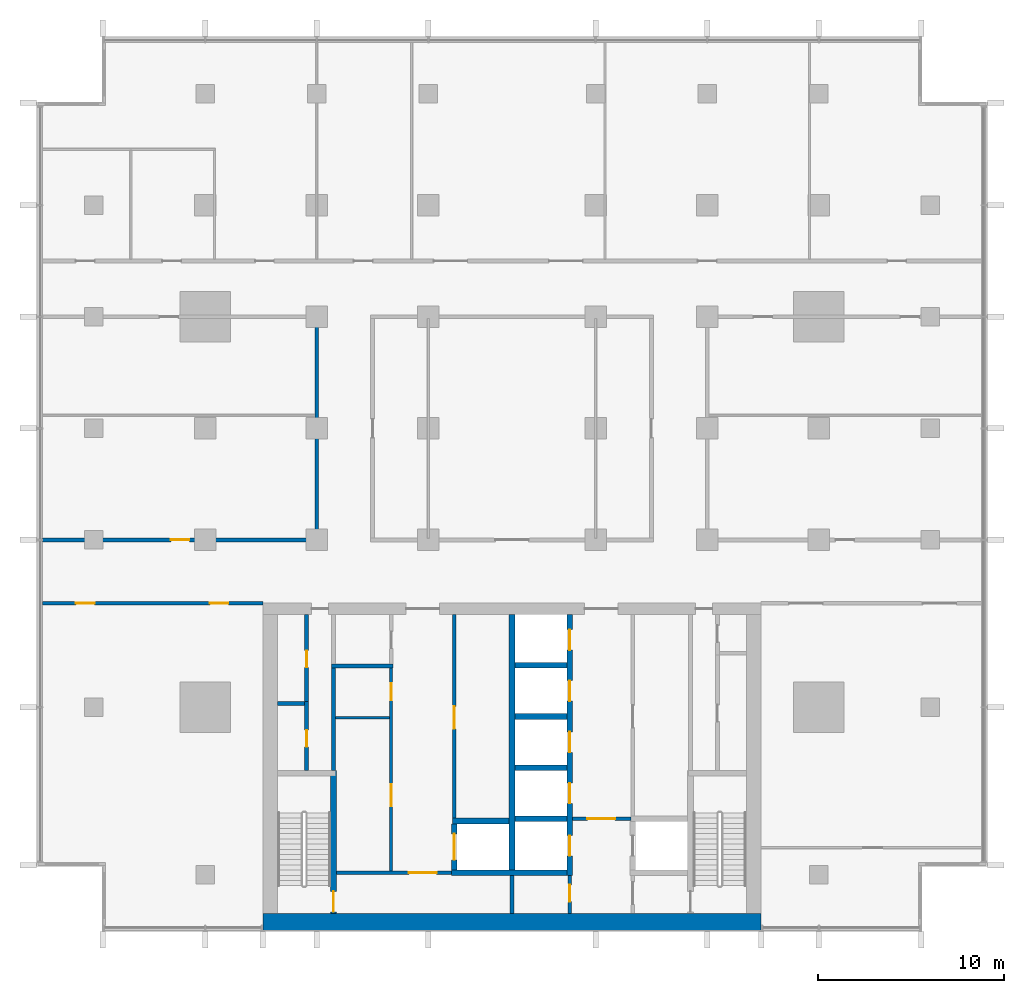
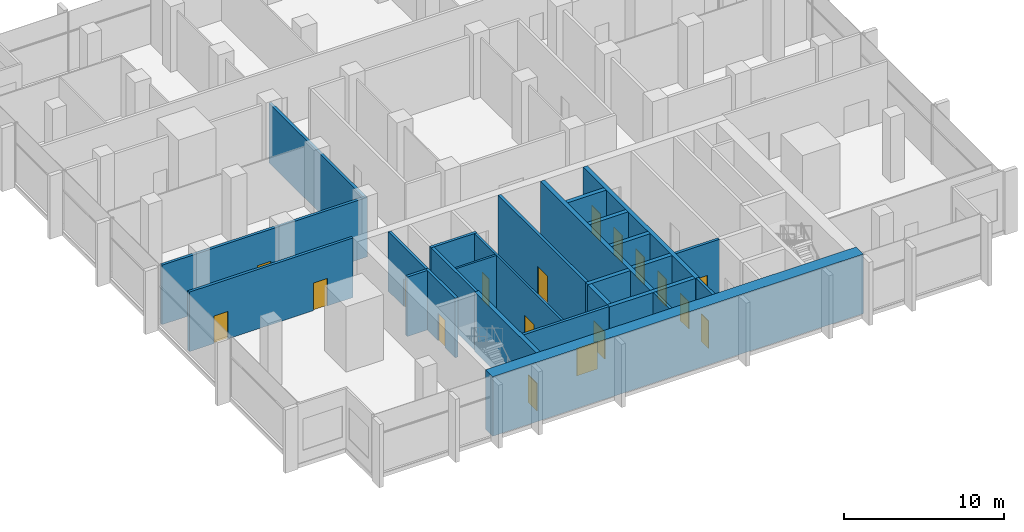
# One storey, part 7 of 15: 26 walls, 18 doors, 18 openings.
"""IFC4 building model written with IfcOpenShell, lengths in metres."""

from ifc_helpers import new_model, si_unit, direction, frame, frame_2d, origin, place, context, subcontext, project, spatial, rectangle, extrude, material, layer, layer_set, type_object, element, fill, save


model = new_model("IFC4")

# Units and contexts
model_context = context("Model", 3, precision=1e-05, world=origin(), true_north=direction((0.0, 1.0)))
body_context = subcontext(model_context, "Body", "Model", "MODEL_VIEW")
ifc_project = project(units=[si_unit("LENGTHUNIT", "METRE"), si_unit("AREAUNIT", "SQUARE_METRE"), si_unit("VOLUMEUNIT", "CUBIC_METRE"), si_unit("PLANEANGLEUNIT", "RADIAN"), si_unit("MASSUNIT", "GRAM", prefix="KILO")], contexts=[model_context])

# Site, building, storey
site_placement = place(None, origin())
site = spatial("IfcSite", under=ifc_project, at=site_placement, CompositionType="ELEMENT")
building_placement = place(site_placement, origin())
building = spatial("IfcBuilding", under=site, at=building_placement, Name="Finial Court Residences", CompositionType="ELEMENT")
storey_placement = place(building_placement, frame((0.0, 0.0, 138.89990234375)))
storey = spatial("IfcBuildingStorey", under=building, at=storey_placement, Name="L34", CompositionType="ELEMENT", Elevation=138.89990234375)

# Wall
ifc_material_1 = material(Name="Fire-rated gypsum board partition")
ifc_layer_1 = layer(ifc_material_1, 0.14990234375)
ifc_layer_set_1 = layer_set([ifc_layer_1], Name="Core room partition 150 EI 60")
wall_type_1 = type_object("IfcWallType", Name="Core room partition 150 EI 60", PredefinedType="PARTITIONING", material=ifc_layer_set_1)
wall_1_placement = place(storey_placement, frame((-9.5, -14.06005859375, 0.0), z_axis=(0.0, 0.0, 1.0), x_axis=(1.0, 0.0, 0.0)))
element("IfcWall", 1, at=wall_1_placement, inside=storey, type_object=wall_type_1, Name="Core partition L34-11", PredefinedType="PARTITIONING", context=body_context, shape_type="SweptSolid", body=[
    extrude(rectangle(XDim=2.925048828125, YDim=0.14990234375, at=frame_2d((1.46240234375, 0.0))), origin(), (0.0, 0.0, 1.0), 4.550048828125),
])

# Wall, openings, doors
wall_2_placement = place(storey_placement, frame((-6.5, -22.300048828125, 0.0), z_axis=(0.0, 0.0, 1.0), x_axis=(0.0, 1.0, 0.0)))
wall_2 = element("IfcWall", 2, at=wall_2_placement, inside=storey, type_object=wall_type_1, Name="Core partition L34-22", PredefinedType="PARTITIONING", context=body_context, shape_type="SweptSolid", body=[
    extrude(rectangle(XDim=10.920166015625, YDim=0.14990234375, at=frame_2d((5.4599609375, 0.0))), origin(), (0.0, 0.0, 1.0), 4.550048828125),
])
opening_1_placement = place(wall_2_placement, frame((3.469970703125, 0.0, 0.0)))
opening_1 = element("IfcOpeningElement", 3, at=opening_1_placement, cuts=wall_2, Name="Opening L34-C16", PredefinedType="OPENING", context=body_context, shape_type="SweptSolid", body=[
    extrude(rectangle(XDim=1.199951171875, YDim=2.10009765625, at=frame_2d((0.60009765625, 1.050048828125))), frame((0.0, 0.0849609375, 0.0), z_axis=(0.0, -1.0, 0.0), x_axis=(1.0, 0.0, 0.0)), (0.0, 0.0, 1.0), 0.169921875),
])
opening_2_placement = place(wall_2_placement, frame((9.179931640625, 0.0, 0.0)))
opening_2 = element("IfcOpeningElement", 4, at=opening_2_placement, cuts=wall_2, Name="Opening L34-C17", PredefinedType="OPENING", context=body_context, shape_type="SweptSolid", body=[
    extrude(rectangle(XDim=0.89990234375, YDim=2.10009765625, at=frame_2d((0.449951171875, 1.050048828125))), frame((0.0, 0.0849609375, 0.0), z_axis=(0.0, -1.0, 0.0), x_axis=(1.0, 0.0, 0.0)), (0.0, 0.0, 1.0), 0.169921875),
])
ifc_material_2 = material(Name="Steel fire door", Category="steel")
door_type_1 = type_object("IfcDoorType", Name="Core room door 1200 x 2100 EI 60", OperationType="NOTDEFINED", PredefinedType="DOOR", material=ifc_material_2)
door_1_placement = place(opening_1_placement, origin())
door_1 = element("IfcDoor", 5, at=door_1_placement, inside=storey, type_object=door_type_1, Name="Core room door L34-C16", OperationType="SINGLE_SWING_LEFT", OverallHeight=2.10009765625, OverallWidth=1.199951171875, PredefinedType="DOOR", context=body_context, shape_type="SweptSolid", body=[
    extrude(rectangle(XDim=1.199951171875, YDim=2.10009765625, at=frame_2d((0.60009765625, 1.050048828125))), frame((0.0, 0.02490234375, 0.0), z_axis=(0.0, -1.0, 0.0), x_axis=(1.0, 0.0, 0.0)), (0.0, 0.0, 1.0), 0.050048828125),
])
fill(opening_1, door_1)
door_type_2 = type_object("IfcDoorType", Name="Core room door 900 x 2100 EI 60", OperationType="NOTDEFINED", PredefinedType="DOOR", material=ifc_material_2)
door_2_placement = place(opening_2_placement, origin())
door_2 = element("IfcDoor", 6, at=door_2_placement, inside=storey, type_object=door_type_2, Name="Core room door L34-C17", OperationType="SINGLE_SWING_LEFT", OverallHeight=2.10009765625, OverallWidth=0.89990234375, PredefinedType="DOOR", context=body_context, shape_type="SweptSolid", body=[
    extrude(rectangle(XDim=0.89990234375, YDim=2.10009765625, at=frame_2d((0.449951171875, 1.050048828125))), frame((0.0, 0.02490234375, 0.0), z_axis=(0.0, -1.0, 0.0), x_axis=(1.0, 0.0, 0.0)), (0.0, 0.0, 1.0), 0.050048828125),
])
fill(opening_2, door_2)

# Wall
ifc_material_3 = material(Name="Concrete C70/85", Category="concrete")
ifc_layer_2 = layer(ifc_material_3, 0.89990234375)
ifc_layer_set_2 = layer_set([ifc_layer_2], Name="Core south facade wall 900 Concrete C70/85")
wall_type_2 = type_object("IfcWallType", Name="Core south facade wall 900 Concrete C70/85", PredefinedType="SHEAR", material=ifc_layer_set_2)
wall_3_placement = place(storey_placement, frame((-13.39990234375, -25.050048828125, 0.0), z_axis=(0.0, 0.0, 1.0), x_axis=(1.0, 0.0, 0.0)))
element("IfcWall", 7, at=wall_3_placement, inside=storey, type_object=wall_type_2, Name="Core outer wall L34-01", PredefinedType="SHEAR", context=body_context, shape_type="SweptSolid", body=[
    extrude(rectangle(XDim=26.7998046875, YDim=0.89990234375, at=frame_2d((13.39990234375, 0.0))), origin(), (0.0, 0.0, 1.0), 4.550048828125),
])

# Wall, openings, doors
ifc_material_4 = material(Name="Gypsum board")
ifc_layer_3 = layer(ifc_material_4, 0.02490234375)
ifc_material_5 = material(Name="Acoustic mineral wool in double frame")
ifc_layer_4 = layer(ifc_material_5, 0.14990234375)
ifc_layer_5 = layer(ifc_material_4, 0.02490234375)
ifc_layer_set_3 = layer_set([ifc_layer_3, ifc_layer_4, ifc_layer_5], Name="Corridor wall 200, 1 hour")
wall_type_3 = type_object("IfcWallType", Name="Corridor wall 200, 1 hour", PredefinedType="PARTITIONING", material=ifc_layer_set_3)
wall_4_placement = place(storey_placement, frame((-25.237548828125, -7.89990234375, 0.0), z_axis=(0.0, 0.0, 1.0), x_axis=(1.0, 0.0, 0.0)))
wall_4 = element("IfcWall", 8, at=wall_4_placement, inside=storey, type_object=wall_type_3, Name="Partition L34-001", PredefinedType="PARTITIONING", context=body_context, shape_type="SweptSolid", body=[
    extrude(rectangle(XDim=11.837646484375, YDim=0.199951171875, at=frame_2d((5.9189453125, 0.0))), origin(), (0.0, 0.0, 1.0), 4.550048828125),
])
opening_3_placement = place(wall_4_placement, frame((1.7880859375, 0.0, 0.0)))
opening_3 = element("IfcOpeningElement", 9, at=opening_3_placement, cuts=wall_4, Name="Opening L34-D002", PredefinedType="OPENING", context=body_context, shape_type="SweptSolid", body=[
    extrude(rectangle(XDim=1.0, YDim=2.10009765625, at=frame_2d((0.5, 1.050048828125))), frame((0.0, 0.10986328125, 0.0), z_axis=(0.0, -1.0, 0.0), x_axis=(1.0, 0.0, 0.0)), (0.0, 0.0, 1.0), 0.219970703125),
])
opening_4_placement = place(wall_4_placement, frame((8.988037109375, 0.0, 0.0)))
opening_4 = element("IfcOpeningElement", 10, at=opening_4_placement, cuts=wall_4, Name="Opening L34-D003", PredefinedType="OPENING", context=body_context, shape_type="SweptSolid", body=[
    extrude(rectangle(XDim=1.0, YDim=2.10009765625, at=frame_2d((0.5, 1.050048828125))), frame((0.0, 0.10986328125, 0.0), z_axis=(0.0, -1.0, 0.0), x_axis=(1.0, 0.0, 0.0)), (0.0, 0.0, 1.0), 0.219970703125),
])
ifc_material_6 = material(Name="Timber door leaf in hollow metal frame", Category="wood")
door_type_3 = type_object("IfcDoorType", Name="Fire door set 1000 x 2100, 30 minutes", OperationType="SINGLE_SWING_LEFT", PredefinedType="DOOR", material=ifc_material_6)
door_3_placement = place(opening_3_placement, origin())
door_3 = element("IfcDoor", 11, at=door_3_placement, inside=storey, type_object=door_type_3, Name="Door L34-D002", OperationType="SINGLE_SWING_LEFT", OverallHeight=2.10009765625, OverallWidth=1.0, PredefinedType="DOOR", context=body_context, shape_type="SweptSolid", body=[
    extrude(rectangle(XDim=1.0, YDim=2.10009765625, at=frame_2d((0.5, 1.050048828125))), frame((0.0, 0.02490234375, 0.0), z_axis=(0.0, -1.0, 0.0), x_axis=(1.0, 0.0, 0.0)), (0.0, 0.0, 1.0), 0.050048828125),
])
fill(opening_3, door_3)
door_4_placement = place(opening_4_placement, origin())
door_4 = element("IfcDoor", 12, at=door_4_placement, inside=storey, type_object=door_type_3, Name="Door L34-D003", OperationType="SINGLE_SWING_RIGHT", OverallHeight=2.10009765625, OverallWidth=1.0, PredefinedType="DOOR", context=body_context, shape_type="SweptSolid", body=[
    extrude(rectangle(XDim=1.0, YDim=2.10009765625, at=frame_2d((0.5, 1.050048828125))), frame((0.0, 0.02490234375, 0.0), z_axis=(0.0, -1.0, 0.0), x_axis=(1.0, 0.0, 0.0)), (0.0, 0.0, 1.0), 0.050048828125),
])
fill(opening_4, door_4)

# Wall, opening, door
wall_5_placement = place(storey_placement, frame((-25.237548828125, -4.5, 0.0), z_axis=(0.0, 0.0, 1.0), x_axis=(1.0, 0.0, 0.0)))
wall_5 = element("IfcWall", 13, at=wall_5_placement, inside=storey, type_object=wall_type_3, Name="Partition L34-003", PredefinedType="PARTITIONING", context=body_context, shape_type="SweptSolid", body=[
    extrude(rectangle(XDim=14.837646484375, YDim=0.199951171875, at=frame_2d((7.4189453125, 0.0))), origin(), (0.0, 0.0, 1.0), 4.550048828125),
])
opening_5_placement = place(wall_5_placement, frame((6.886962890625, 0.0, 0.0)))
opening_5 = element("IfcOpeningElement", 14, at=opening_5_placement, cuts=wall_5, Name="Opening L34-D006", PredefinedType="OPENING", context=body_context, shape_type="SweptSolid", body=[
    extrude(rectangle(XDim=1.0, YDim=2.10009765625, at=frame_2d((0.5, 1.050048828125))), frame((0.0, 0.10986328125, 0.0), z_axis=(0.0, -1.0, 0.0), x_axis=(1.0, 0.0, 0.0)), (0.0, 0.0, 1.0), 0.219970703125),
])
door_5_placement = place(opening_5_placement, origin())
door_5 = element("IfcDoor", 15, at=door_5_placement, inside=storey, type_object=door_type_3, Name="Door L34-D006", OperationType="SINGLE_SWING_LEFT", OverallHeight=2.10009765625, OverallWidth=1.0, PredefinedType="DOOR", context=body_context, shape_type="SweptSolid", body=[
    extrude(rectangle(XDim=1.0, YDim=2.10009765625, at=frame_2d((0.5, 1.050048828125))), frame((0.0, 0.02490234375, 0.0), z_axis=(0.0, -1.0, 0.0), x_axis=(1.0, 0.0, 0.0)), (0.0, 0.0, 1.0), 0.050048828125),
])
fill(opening_5, door_5)

# Wall
wall_6_placement = place(storey_placement, frame((-10.5, -4.39990234375, 0.0), z_axis=(0.0, 0.0, 1.0), x_axis=(0.0, 1.0, 0.0)))
element("IfcWall", 16, at=wall_6_placement, inside=storey, type_object=wall_type_3, Name="Partition L34-015", PredefinedType="PARTITIONING", context=body_context, shape_type="SweptSolid", body=[
    extrude(rectangle(XDim=11.7998046875, YDim=0.199951171875, at=frame_2d((5.89990234375, 0.0))), origin(), (0.0, 0.0, 1.0), 4.550048828125),
])

# Wall, opening, door
ifc_layer_6 = layer(ifc_material_1, 0.199951171875)
ifc_layer_set_4 = layer_set([ifc_layer_6], Name="Firefighting lobby wall 200 EI 120")
wall_type_4 = type_object("IfcWallType", Name="Firefighting lobby wall 200 EI 120", PredefinedType="PARTITIONING", material=ifc_layer_set_4)
wall_7_placement = place(storey_placement, frame((6.39990234375, -19.5, 0.0), z_axis=(0.0, 0.0, 1.0), x_axis=(-1.0, 0.0, 0.0)))
wall_7 = element("IfcWall", 17, at=wall_7_placement, inside=storey, type_object=wall_type_4, Name="Core partition L34-06", PredefinedType="PARTITIONING", context=body_context, shape_type="SweptSolid", body=[
    extrude(rectangle(XDim=3.14990234375, YDim=0.199951171875, at=frame_2d((1.574951171875, 0.0))), origin(), (0.0, 0.0, 1.0), 4.550048828125),
])
opening_6_placement = place(wall_7_placement, frame((0.85009765625, 0.0, 0.0)))
opening_6 = element("IfcOpeningElement", 18, at=opening_6_placement, cuts=wall_7, Name="Opening L34-C02", PredefinedType="OPENING", context=body_context, shape_type="SweptSolid", body=[
    extrude(rectangle(XDim=1.5, YDim=2.10009765625, at=frame_2d((0.75, 1.050048828125))), frame((0.0, 0.10986328125, 0.0), z_axis=(0.0, -1.0, 0.0), x_axis=(1.0, 0.0, 0.0)), (0.0, 0.0, 1.0), 0.219970703125),
])
door_type_4 = type_object("IfcDoorType", Name="Firefighting lobby door 1500 x 2100 EI 90", OperationType="DOUBLE_DOOR_SINGLE_SWING", PredefinedType="DOOR", material=ifc_material_2)
door_6_placement = place(opening_6_placement, origin())
door_6 = element("IfcDoor", 19, at=door_6_placement, inside=storey, type_object=door_type_4, Name="Firefighting lobby door L34-C02", OperationType="DOUBLE_DOOR_SINGLE_SWING", OverallHeight=2.10009765625, OverallWidth=1.5, PredefinedType="DOOR", context=body_context, shape_type="SweptSolid", body=[
    extrude(rectangle(XDim=1.5, YDim=2.10009765625, at=frame_2d((0.75, 1.050048828125))), frame((0.0, 0.02490234375, 0.0), z_axis=(0.0, -1.0, 0.0), x_axis=(1.0, 0.0, 0.0)), (0.0, 0.0, 1.0), 0.050048828125),
])
fill(opening_6, door_6)

wall_8_placement = place(storey_placement, frame((3.10009765625, -24.60009765625, 0.0), z_axis=(0.0, 0.0, 1.0), x_axis=(0.0, 1.0, 0.0)))
wall_8 = element("IfcWall", 20, at=wall_8_placement, inside=storey, type_object=wall_type_4, Name="Core partition L34-28", PredefinedType="PARTITIONING", context=body_context, shape_type="SweptSolid", body=[
    extrude(rectangle(XDim=2.050048828125, YDim=0.199951171875, at=frame_2d((1.02490234375, 0.0))), origin(), (0.0, 0.0, 1.0), 4.550048828125),
])
opening_7_placement = place(wall_8_placement, frame((0.64990234375, 0.0, 0.0)))
opening_7 = element("IfcOpeningElement", 21, at=opening_7_placement, cuts=wall_8, Name="Opening L34-C06", PredefinedType="OPENING", context=body_context, shape_type="SweptSolid", body=[
    extrude(rectangle(XDim=0.89990234375, YDim=2.10009765625, at=frame_2d((0.449951171875, 1.050048828125))), frame((0.0, 0.10986328125, 0.0), z_axis=(0.0, -1.0, 0.0), x_axis=(1.0, 0.0, 0.0)), (0.0, 0.0, 1.0), 0.219970703125),
])
door_type_5 = type_object("IfcDoorType", Name="Riser room door 900 x 2100 EI 90", OperationType="NOTDEFINED", PredefinedType="DOOR", material=ifc_material_2)
door_7_placement = place(opening_7_placement, origin())
door_7 = element("IfcDoor", 22, at=door_7_placement, inside=storey, type_object=door_type_5, Name="Riser room door L34-C06", OperationType="SINGLE_SWING_LEFT", OverallHeight=2.10009765625, OverallWidth=0.89990234375, PredefinedType="DOOR", context=body_context, shape_type="SweptSolid", body=[
    extrude(rectangle(XDim=0.89990234375, YDim=2.10009765625, at=frame_2d((0.449951171875, 1.050048828125))), frame((0.0, 0.02490234375, 0.0), z_axis=(0.0, -1.0, 0.0), x_axis=(1.0, 0.0, 0.0)), (0.0, 0.0, 1.0), 0.050048828125),
])
fill(opening_7, door_7)

# Walls
ifc_layer_7 = layer(ifc_material_3, 0.300048828125)
ifc_layer_set_5 = layer_set([ifc_layer_7], Name="Lift shaft and stair wall 300 Concrete C70/85")
wall_type_5 = type_object("IfcWallType", Name="Lift shaft and stair wall 300 Concrete C70/85", PredefinedType="SHEAR", material=ifc_layer_set_5)
wall_9_placement = place(storey_placement, frame((-3.25, -22.39990234375, 0.0), z_axis=(0.0, 0.0, 1.0), x_axis=(1.0, 0.0, 0.0)))
element("IfcWall", 23, at=wall_9_placement, inside=storey, type_object=wall_type_5, Name="Core wall L34-02", PredefinedType="SHEAR", context=body_context, shape_type="SweptSolid", body=[
    extrude(rectangle(XDim=6.199951171875, YDim=0.300048828125, at=frame_2d((3.10009765625, 0.0))), origin(), (0.0, 0.0, 1.0), 4.550048828125),
])
wall_10_placement = place(storey_placement, frame((-3.199951171875, -19.6201171875, 0.0), z_axis=(0.0, 0.0, 1.0), x_axis=(1.0, 0.0, 0.0)))
element("IfcWall", 24, at=wall_10_placement, inside=storey, type_object=wall_type_5, Name="Core wall L34-04", PredefinedType="SHEAR", context=body_context, shape_type="SweptSolid", body=[
    extrude(rectangle(XDim=3.050048828125, YDim=0.300048828125, at=frame_2d((1.52490234375, 0.0))), origin(), (0.0, 0.0, 1.0), 4.550048828125),
])
for number, where, z_axis, x_axis, name in (
    (25, (0.14990234375, -19.5, 0.0), (0.0, 0.0, 1.0), (1.0, 0.0, 0.0), "Core wall L34-05"),
    (26, (0.14990234375, -16.75, 0.0), (0.0, 0.0, 1.0), (1.0, 0.0, 0.0), "Core wall L34-10"),
    (27, (0.14990234375, -14.0, 0.0), (0.0, 0.0, 1.0), (1.0, 0.0, 0.0), "Core wall L34-12"),
    (28, (0.14990234375, -11.25, 0.0), (0.0, 0.0, 1.0), (1.0, 0.0, 0.0), "Core wall L34-15"),
):
    element("IfcWall", number, at=place(storey_placement, frame(where, z_axis=z_axis, x_axis=x_axis)), inside=storey, type_object=wall_type_5, Name=name, PredefinedType="SHEAR", context=body_context, shape_type="SweptSolid", body=[
        extrude(rectangle(XDim=2.800048828125, YDim=0.300048828125, at=frame_2d((1.39990234375, 0.0))), origin(), (0.0, 0.0, 1.0), 4.550048828125),
    ])

# Wall, opening, door
wall_11_placement = place(storey_placement, frame((-9.60009765625, -24.60009765625, 0.0), z_axis=(0.0, 0.0, 1.0), x_axis=(0.0, 1.0, 0.0)))
wall_11 = element("IfcWall", 29, at=wall_11_placement, inside=storey, type_object=wall_type_5, Name="Core wall L34-19", PredefinedType="SHEAR", context=body_context, shape_type="SweptSolid", body=[
    extrude(rectangle(XDim=7.7001953125, YDim=0.300048828125, at=frame_2d((3.85009765625, 0.0))), origin(), (0.0, 0.0, 1.0), 4.550048828125),
])
opening_8_placement = place(wall_11_placement, frame((0.10009765625, 0.0, 0.0)))
opening_8 = element("IfcOpeningElement", 30, at=opening_8_placement, cuts=wall_11, Name="Opening L34-C18", PredefinedType="OPENING", context=body_context, shape_type="SweptSolid", body=[
    extrude(rectangle(XDim=1.10009765625, YDim=2.10009765625, at=frame_2d((0.550048828125, 1.050048828125))), frame((0.0, 0.159912109375, 0.0), z_axis=(0.0, -1.0, 0.0), x_axis=(1.0, 0.0, 0.0)), (0.0, 0.0, 1.0), 0.320068359375),
])
door_type_6 = type_object("IfcDoorType", Name="Stair door 1100 x 2100 EI 90", OperationType="NOTDEFINED", PredefinedType="DOOR", material=ifc_material_2)
door_8_placement = place(opening_8_placement, origin())
door_8 = element("IfcDoor", 31, at=door_8_placement, inside=storey, type_object=door_type_6, Name="Stair door L34-C18", OperationType="SINGLE_SWING_LEFT", OverallHeight=2.10009765625, OverallWidth=1.10009765625, PredefinedType="DOOR", context=body_context, shape_type="SweptSolid", body=[
    extrude(rectangle(XDim=1.10009765625, YDim=2.10009765625, at=frame_2d((0.550048828125, 1.050048828125))), frame((0.0, 0.02490234375, 0.0), z_axis=(0.0, -1.0, 0.0), x_axis=(1.0, 0.0, 0.0)), (0.0, 0.0, 1.0), 0.050048828125),
])
fill(opening_8, door_8)

wall_12_placement = place(storey_placement, frame((-3.10009765625, -22.25, 0.0), z_axis=(0.0, 0.0, 1.0), x_axis=(0.0, 1.0, 0.0)))
wall_12 = element("IfcWall", 32, at=wall_12_placement, inside=storey, type_object=wall_type_5, Name="Core wall L34-24", PredefinedType="SHEAR", context=body_context, shape_type="SweptSolid", body=[
    extrude(rectangle(XDim=2.47998046875, YDim=0.300048828125, at=frame_2d((1.239990234375, 0.0))), origin(), (0.0, 0.0, 1.0), 4.550048828125),
])
opening_9_placement = place(wall_12_placement, frame((0.5400390625, 0.0, 0.0)))
opening_9 = element("IfcOpeningElement", 33, at=opening_9_placement, cuts=wall_12, Name="Opening L34-LD07", PredefinedType="OPENING", context=body_context, shape_type="SweptSolid", body=[
    extrude(rectangle(XDim=1.39990234375, YDim=2.10009765625, at=frame_2d((0.699951171875, 1.050048828125))), frame((0.0, 0.159912109375, 0.0), z_axis=(0.0, -1.0, 0.0), x_axis=(1.0, 0.0, 0.0)), (0.0, 0.0, 1.0), 0.320068359375),
])
ifc_material_7 = material(Name="Stainless steel lift door", Category="steel")
door_type_7 = type_object("IfcDoorType", Name="Lift landing door 1400 x 2100 EI 90", OperationType="DOUBLE_DOOR_SLIDING", PredefinedType="DOOR", material=ifc_material_7)
door_9_placement = place(opening_9_placement, origin())
door_9 = element("IfcDoor", 34, at=door_9_placement, inside=storey, type_object=door_type_7, Name="Lift landing door SV1 L34", OperationType="DOUBLE_DOOR_SLIDING", OverallHeight=2.10009765625, OverallWidth=1.39990234375, PredefinedType="DOOR", context=body_context, shape_type="SweptSolid", body=[
    extrude(rectangle(XDim=1.39990234375, YDim=2.10009765625, at=frame_2d((0.699951171875, 1.050048828125))), frame((0.0, 0.02490234375, 0.0), z_axis=(0.0, -1.0, 0.0), x_axis=(1.0, 0.0, 0.0)), (0.0, 0.0, 1.0), 0.050048828125),
])
fill(opening_9, door_9)

# Wall
wall_13_placement = place(storey_placement, frame((0.0, -22.25, 0.0), z_axis=(0.0, 0.0, 1.0), x_axis=(0.0, 1.0, 0.0)))
element("IfcWall", 35, at=wall_13_placement, inside=storey, type_object=wall_type_5, Name="Core wall L34-27", PredefinedType="SHEAR", context=body_context, shape_type="SweptSolid", body=[
    extrude(rectangle(XDim=13.75, YDim=0.300048828125, at=frame_2d((6.875, 0.0))), origin(), (0.0, 0.0, 1.0), 4.550048828125),
])

# Wall, openings, doors
wall_14_placement = place(storey_placement, frame((3.10009765625, -22.550048828125, 0.0), z_axis=(0.0, 0.0, 1.0), x_axis=(0.0, 1.0, 0.0)))
wall_14 = element("IfcWall", 36, at=wall_14_placement, inside=storey, type_object=wall_type_5, Name="Core wall L34-29", PredefinedType="SHEAR", context=body_context, shape_type="SweptSolid", body=[
    extrude(rectangle(XDim=14.050048828125, YDim=0.300048828125, at=frame_2d((7.02490234375, 0.0))), origin(), (0.0, 0.0, 1.0), 4.550048828125),
])
opening_10_placement = place(wall_14_placement, frame((1.050048828125, 0.0, 0.0)))
opening_10 = element("IfcOpeningElement", 37, at=opening_10_placement, cuts=wall_14, Name="Opening L34-LD01", PredefinedType="OPENING", context=body_context, shape_type="SweptSolid", body=[
    extrude(rectangle(XDim=1.10009765625, YDim=2.10009765625, at=frame_2d((0.550048828125, 1.050048828125))), frame((0.0, 0.159912109375, 0.0), z_axis=(0.0, -1.0, 0.0), x_axis=(1.0, 0.0, 0.0)), (0.0, 0.0, 1.0), 0.320068359375),
])
opening_11_placement = place(wall_14_placement, frame((3.875, 0.0, 0.0)))
opening_11 = element("IfcOpeningElement", 38, at=opening_11_placement, cuts=wall_14, Name="Opening L34-LD03", PredefinedType="OPENING", context=body_context, shape_type="SweptSolid", body=[
    extrude(rectangle(XDim=1.10009765625, YDim=2.10009765625, at=frame_2d((0.550048828125, 1.050048828125))), frame((0.0, 0.159912109375, 0.0), z_axis=(0.0, -1.0, 0.0), x_axis=(1.0, 0.0, 0.0)), (0.0, 0.0, 1.0), 0.320068359375),
])
opening_12_placement = place(wall_14_placement, frame((6.625, 0.0, 0.0)))
opening_12 = element("IfcOpeningElement", 39, at=opening_12_placement, cuts=wall_14, Name="Opening L34-LD04", PredefinedType="OPENING", context=body_context, shape_type="SweptSolid", body=[
    extrude(rectangle(XDim=1.10009765625, YDim=2.10009765625, at=frame_2d((0.550048828125, 1.050048828125))), frame((0.0, 0.159912109375, 0.0), z_axis=(0.0, -1.0, 0.0), x_axis=(1.0, 0.0, 0.0)), (0.0, 0.0, 1.0), 0.320068359375),
])
opening_13_placement = place(wall_14_placement, frame((9.375, 0.0, 0.0)))
opening_13 = element("IfcOpeningElement", 40, at=opening_13_placement, cuts=wall_14, Name="Opening L34-LD05", PredefinedType="OPENING", context=body_context, shape_type="SweptSolid", body=[
    extrude(rectangle(XDim=1.10009765625, YDim=2.10009765625, at=frame_2d((0.550048828125, 1.050048828125))), frame((0.0, 0.159912109375, 0.0), z_axis=(0.0, -1.0, 0.0), x_axis=(1.0, 0.0, 0.0)), (0.0, 0.0, 1.0), 0.320068359375),
])
opening_14_placement = place(wall_14_placement, frame((12.125, 0.0, 0.0)))
opening_14 = element("IfcOpeningElement", 41, at=opening_14_placement, cuts=wall_14, Name="Opening L34-LD06", PredefinedType="OPENING", context=body_context, shape_type="SweptSolid", body=[
    extrude(rectangle(XDim=1.10009765625, YDim=2.10009765625, at=frame_2d((0.550048828125, 1.050048828125))), frame((0.0, 0.159912109375, 0.0), z_axis=(0.0, -1.0, 0.0), x_axis=(1.0, 0.0, 0.0)), (0.0, 0.0, 1.0), 0.320068359375),
])
door_type_8 = type_object("IfcDoorType", Name="Lift landing door 1100 x 2100 EI 90", OperationType="DOUBLE_DOOR_SLIDING", PredefinedType="DOOR", material=ifc_material_7)
door_10_placement = place(opening_10_placement, origin())
door_10 = element("IfcDoor", 42, at=door_10_placement, inside=storey, type_object=door_type_8, Name="Lift landing door FF1 L34", OperationType="DOUBLE_DOOR_SLIDING", OverallHeight=2.10009765625, OverallWidth=1.10009765625, PredefinedType="DOOR", context=body_context, shape_type="SweptSolid", body=[
    extrude(rectangle(XDim=1.10009765625, YDim=2.10009765625, at=frame_2d((0.550048828125, 1.050048828125))), frame((0.0, 0.02490234375, 0.0), z_axis=(0.0, -1.0, 0.0), x_axis=(1.0, 0.0, 0.0)), (0.0, 0.0, 1.0), 0.050048828125),
])
fill(opening_10, door_10)
door_11_placement = place(opening_11_placement, origin())
door_11 = element("IfcDoor", 43, at=door_11_placement, inside=storey, type_object=door_type_8, Name="Lift landing door HR1 L34", OperationType="DOUBLE_DOOR_SLIDING", OverallHeight=2.10009765625, OverallWidth=1.10009765625, PredefinedType="DOOR", context=body_context, shape_type="SweptSolid", body=[
    extrude(rectangle(XDim=1.10009765625, YDim=2.10009765625, at=frame_2d((0.550048828125, 1.050048828125))), frame((0.0, 0.02490234375, 0.0), z_axis=(0.0, -1.0, 0.0), x_axis=(1.0, 0.0, 0.0)), (0.0, 0.0, 1.0), 0.050048828125),
])
fill(opening_11, door_11)
door_12_placement = place(opening_12_placement, origin())
door_12 = element("IfcDoor", 44, at=door_12_placement, inside=storey, type_object=door_type_8, Name="Lift landing door HR2 L34", OperationType="DOUBLE_DOOR_SLIDING", OverallHeight=2.10009765625, OverallWidth=1.10009765625, PredefinedType="DOOR", context=body_context, shape_type="SweptSolid", body=[
    extrude(rectangle(XDim=1.10009765625, YDim=2.10009765625, at=frame_2d((0.550048828125, 1.050048828125))), frame((0.0, 0.02490234375, 0.0), z_axis=(0.0, -1.0, 0.0), x_axis=(1.0, 0.0, 0.0)), (0.0, 0.0, 1.0), 0.050048828125),
])
fill(opening_12, door_12)
door_13_placement = place(opening_13_placement, origin())
door_13 = element("IfcDoor", 45, at=door_13_placement, inside=storey, type_object=door_type_8, Name="Lift landing door HR3 L34", OperationType="DOUBLE_DOOR_SLIDING", OverallHeight=2.10009765625, OverallWidth=1.10009765625, PredefinedType="DOOR", context=body_context, shape_type="SweptSolid", body=[
    extrude(rectangle(XDim=1.10009765625, YDim=2.10009765625, at=frame_2d((0.550048828125, 1.050048828125))), frame((0.0, 0.02490234375, 0.0), z_axis=(0.0, -1.0, 0.0), x_axis=(1.0, 0.0, 0.0)), (0.0, 0.0, 1.0), 0.050048828125),
])
fill(opening_13, door_13)
door_14_placement = place(opening_14_placement, origin())
door_14 = element("IfcDoor", 46, at=door_14_placement, inside=storey, type_object=door_type_8, Name="Lift landing door HR4 L34", OperationType="DOUBLE_DOOR_SLIDING", OverallHeight=2.10009765625, OverallWidth=1.10009765625, PredefinedType="DOOR", context=body_context, shape_type="SweptSolid", body=[
    extrude(rectangle(XDim=1.10009765625, YDim=2.10009765625, at=frame_2d((0.550048828125, 1.050048828125))), frame((0.0, 0.02490234375, 0.0), z_axis=(0.0, -1.0, 0.0), x_axis=(1.0, 0.0, 0.0)), (0.0, 0.0, 1.0), 0.050048828125),
])
fill(opening_14, door_14)

# Walls
ifc_layer_8 = layer(ifc_material_1, 0.199951171875)
ifc_layer_set_6 = layer_set([ifc_layer_8], Name="Riser room wall 200 EI 120")
wall_type_6 = type_object("IfcWallType", Name="Riser room wall 200 EI 120", PredefinedType="PARTITIONING", material=ifc_layer_set_6)
wall_15_placement = place(storey_placement, frame((-12.60009765625, -13.300048828125, 0.0), z_axis=(0.0, 0.0, 1.0), x_axis=(1.0, 0.0, 0.0)))
element("IfcWall", 47, at=wall_15_placement, inside=storey, type_object=wall_type_6, Name="Core partition L34-13", PredefinedType="PARTITIONING", context=body_context, shape_type="SweptSolid", body=[
    extrude(rectangle(XDim=1.4501953125, YDim=0.199951171875, at=frame_2d((0.72509765625, 0.0))), origin(), (0.0, 0.0, 1.0), 4.550048828125),
])
wall_16_placement = place(storey_placement, frame((-9.699951171875, -11.280029296875, 0.0), z_axis=(0.0, 0.0, 1.0), x_axis=(1.0, 0.0, 0.0)))
element("IfcWall", 48, at=wall_16_placement, inside=storey, type_object=wall_type_6, Name="Core partition L34-14", PredefinedType="PARTITIONING", context=body_context, shape_type="SweptSolid", body=[
    extrude(rectangle(XDim=3.300048828125, YDim=0.199951171875, at=frame_2d((1.64990234375, 0.0))), origin(), (0.0, 0.0, 1.0), 4.550048828125),
])

# Wall, opening, door
wall_17_placement = place(storey_placement, frame((-11.050048828125, -13.39990234375, 0.0), z_axis=(0.0, 0.0, 1.0), x_axis=(0.0, 1.0, 0.0)))
wall_17 = element("IfcWall", 49, at=wall_17_placement, inside=storey, type_object=wall_type_6, Name="Core partition L34-18", PredefinedType="PARTITIONING", context=body_context, shape_type="SweptSolid", body=[
    extrude(rectangle(XDim=4.89990234375, YDim=0.199951171875, at=frame_2d((2.449951171875, 0.0))), origin(), (0.0, 0.0, 1.0), 4.550048828125),
])
opening_15_placement = place(wall_17_placement, frame((2.050048828125, 0.0, 0.0)))
opening_15 = element("IfcOpeningElement", 50, at=opening_15_placement, cuts=wall_17, Name="Opening L34-C07", PredefinedType="OPENING", context=body_context, shape_type="SweptSolid", body=[
    extrude(rectangle(XDim=0.89990234375, YDim=2.10009765625, at=frame_2d((0.449951171875, 1.050048828125))), frame((0.0, 0.10986328125, 0.0), z_axis=(0.0, -1.0, 0.0), x_axis=(1.0, 0.0, 0.0)), (0.0, 0.0, 1.0), 0.219970703125),
])
door_15_placement = place(opening_15_placement, origin())
door_15 = element("IfcDoor", 51, at=door_15_placement, inside=storey, type_object=door_type_5, Name="Riser room door L34-C07", OperationType="SINGLE_SWING_LEFT", OverallHeight=2.10009765625, OverallWidth=0.89990234375, PredefinedType="DOOR", context=body_context, shape_type="SweptSolid", body=[
    extrude(rectangle(XDim=0.89990234375, YDim=2.10009765625, at=frame_2d((0.449951171875, 1.050048828125))), frame((0.0, 0.02490234375, 0.0), z_axis=(0.0, -1.0, 0.0), x_axis=(1.0, 0.0, 0.0)), (0.0, 0.0, 1.0), 0.050048828125),
])
fill(opening_15, door_15)

wall_18_placement = place(storey_placement, frame((-3.10009765625, -8.5, 0.0), z_axis=(0.0, 0.0, 1.0), x_axis=(0.0, -1.0, 0.0)))
wall_18 = element("IfcWall", 52, at=wall_18_placement, inside=storey, type_object=wall_type_6, Name="Core partition L34-25", PredefinedType="PARTITIONING", context=body_context, shape_type="SweptSolid", body=[
    extrude(rectangle(XDim=10.969970703125, YDim=0.199951171875, at=frame_2d((5.48486328125, 0.0))), origin(), (0.0, 0.0, 1.0), 4.550048828125),
])
opening_16_placement = place(wall_18_placement, frame((4.9599609375, 0.0, 0.0)))
opening_16 = element("IfcOpeningElement", 53, at=opening_16_placement, cuts=wall_18, Name="Opening L34-C10", PredefinedType="OPENING", context=body_context, shape_type="SweptSolid", body=[
    extrude(rectangle(XDim=1.199951171875, YDim=2.10009765625, at=frame_2d((0.60009765625, 1.050048828125))), frame((0.0, 0.10986328125, 0.0), z_axis=(0.0, -1.0, 0.0), x_axis=(1.0, 0.0, 0.0)), (0.0, 0.0, 1.0), 0.219970703125),
])
door_type_9 = type_object("IfcDoorType", Name="Riser room door 1200 x 2100 EI 90", OperationType="NOTDEFINED", PredefinedType="DOOR", material=ifc_material_2)
door_16_placement = place(opening_16_placement, origin())
door_16 = element("IfcDoor", 54, at=door_16_placement, inside=storey, type_object=door_type_9, Name="Riser room door L34-C10", OperationType="SINGLE_SWING_RIGHT", OverallHeight=2.10009765625, OverallWidth=1.199951171875, PredefinedType="DOOR", context=body_context, shape_type="SweptSolid", body=[
    extrude(rectangle(XDim=1.199951171875, YDim=2.10009765625, at=frame_2d((0.60009765625, 1.050048828125))), frame((0.0, 0.02490234375, 0.0), z_axis=(0.0, -1.0, 0.0), x_axis=(1.0, 0.0, 0.0)), (0.0, 0.0, 1.0), 0.050048828125),
])
fill(opening_16, door_16)

# Wall
wall_19_placement = place(storey_placement, frame((0.0, -24.60009765625, 0.0), z_axis=(0.0, 0.0, 1.0), x_axis=(0.0, 1.0, 0.0)))
element("IfcWall", 55, at=wall_19_placement, inside=storey, type_object=wall_type_6, Name="Core partition L34-26", PredefinedType="PARTITIONING", context=body_context, shape_type="SweptSolid", body=[
    extrude(rectangle(XDim=2.050048828125, YDim=0.199951171875, at=frame_2d((1.02490234375, 0.0))), origin(), (0.0, 0.0, 1.0), 4.550048828125),
])

# Wall, opening, door
ifc_layer_9 = layer(ifc_material_1, 0.199951171875)
ifc_layer_set_7 = layer_set([ifc_layer_9], Name="Stair passage wall 200 EI 180")
wall_type_7 = type_object("IfcWallType", Name="Stair passage wall 200 EI 180", PredefinedType="PARTITIONING", material=ifc_layer_set_7)
wall_20_placement = place(storey_placement, frame((-3.25, -22.39990234375, 0.0), z_axis=(0.0, 0.0, 1.0), x_axis=(-1.0, 0.0, 0.0)))
wall_20 = element("IfcWall", 56, at=wall_20_placement, inside=storey, type_object=wall_type_7, Name="Core partition L34-01", PredefinedType="PARTITIONING", context=body_context, shape_type="SweptSolid", body=[
    extrude(rectangle(XDim=6.199951171875, YDim=0.199951171875, at=frame_2d((3.10009765625, 0.0))), origin(), (0.0, 0.0, 1.0), 4.550048828125),
])
opening_17_placement = place(wall_20_placement, frame((0.800048828125, 0.0, 0.0)))
opening_17 = element("IfcOpeningElement", 57, at=opening_17_placement, cuts=wall_20, Name="Opening L34-C03", PredefinedType="OPENING", context=body_context, shape_type="SweptSolid", body=[
    extrude(rectangle(XDim=1.5, YDim=2.10009765625, at=frame_2d((0.75, 1.050048828125))), frame((0.0, 0.10986328125, 0.0), z_axis=(0.0, -1.0, 0.0), x_axis=(1.0, 0.0, 0.0)), (0.0, 0.0, 1.0), 0.219970703125),
])
door_type_10 = type_object("IfcDoorType", Name="Lift lobby door 1500 x 2100 EI 60", OperationType="DOUBLE_DOOR_SINGLE_SWING", PredefinedType="DOOR", material=ifc_material_2)
door_17_placement = place(opening_17_placement, origin())
door_17 = element("IfcDoor", 58, at=door_17_placement, inside=storey, type_object=door_type_10, Name="Lift lobby door L34-C03", OperationType="DOUBLE_DOOR_SINGLE_SWING", OverallHeight=2.10009765625, OverallWidth=1.5, PredefinedType="DOOR", context=body_context, shape_type="SweptSolid", body=[
    extrude(rectangle(XDim=1.5, YDim=2.10009765625, at=frame_2d((0.75, 1.050048828125))), frame((0.0, 0.02490234375, 0.0), z_axis=(0.0, -1.0, 0.0), x_axis=(1.0, 0.0, 0.0)), (0.0, 0.0, 1.0), 0.050048828125),
])
fill(opening_17, door_17)

wall_21_placement = place(storey_placement, frame((-11.050048828125, -16.89990234375, 0.0), z_axis=(0.0, 0.0, 1.0), x_axis=(0.0, 1.0, 0.0)))
wall_21 = element("IfcWall", 59, at=wall_21_placement, inside=storey, type_object=wall_type_7, Name="Core partition L34-17", PredefinedType="PARTITIONING", context=body_context, shape_type="SweptSolid", body=[
    extrude(rectangle(XDim=3.699951171875, YDim=0.199951171875, at=frame_2d((1.85009765625, 0.0))), origin(), (0.0, 0.0, 1.0), 4.550048828125),
])
opening_18_placement = place(wall_21_placement, frame((1.27490234375, 0.0, 0.0)))
opening_18 = element("IfcOpeningElement", 60, at=opening_18_placement, cuts=wall_21, Name="Opening L34-C14", PredefinedType="OPENING", context=body_context, shape_type="SweptSolid", body=[
    extrude(rectangle(XDim=0.89990234375, YDim=2.10009765625, at=frame_2d((0.449951171875, 1.050048828125))), frame((0.0, 0.10986328125, 0.0), z_axis=(0.0, -1.0, 0.0), x_axis=(1.0, 0.0, 0.0)), (0.0, 0.0, 1.0), 0.219970703125),
])
door_18_placement = place(opening_18_placement, origin())
door_18 = element("IfcDoor", 61, at=door_18_placement, inside=storey, type_object=door_type_2, Name="Core room door L34-C14", OperationType="SINGLE_SWING_LEFT", OverallHeight=2.10009765625, OverallWidth=0.89990234375, PredefinedType="DOOR", context=body_context, shape_type="SweptSolid", body=[
    extrude(rectangle(XDim=0.89990234375, YDim=2.10009765625, at=frame_2d((0.449951171875, 1.050048828125))), frame((0.0, 0.02490234375, 0.0), z_axis=(0.0, -1.0, 0.0), x_axis=(1.0, 0.0, 0.0)), (0.0, 0.0, 1.0), 0.050048828125),
])
fill(opening_18, door_18)

# Wall
wall_22_placement = place(storey_placement, frame((-9.60009765625, -16.89990234375, 0.0), z_axis=(0.0, 0.0, 1.0), x_axis=(0.0, 1.0, 0.0)))
element("IfcWall", 62, at=wall_22_placement, inside=storey, type_object=wall_type_7, Name="Core partition L34-20", PredefinedType="PARTITIONING", context=body_context, shape_type="SweptSolid", body=[
    extrude(rectangle(XDim=5.719970703125, YDim=0.199951171875, at=frame_2d((2.85986328125, 0.0))), origin(), (0.0, 0.0, 1.0), 4.550048828125),
])

save(model, "model.ifc")
